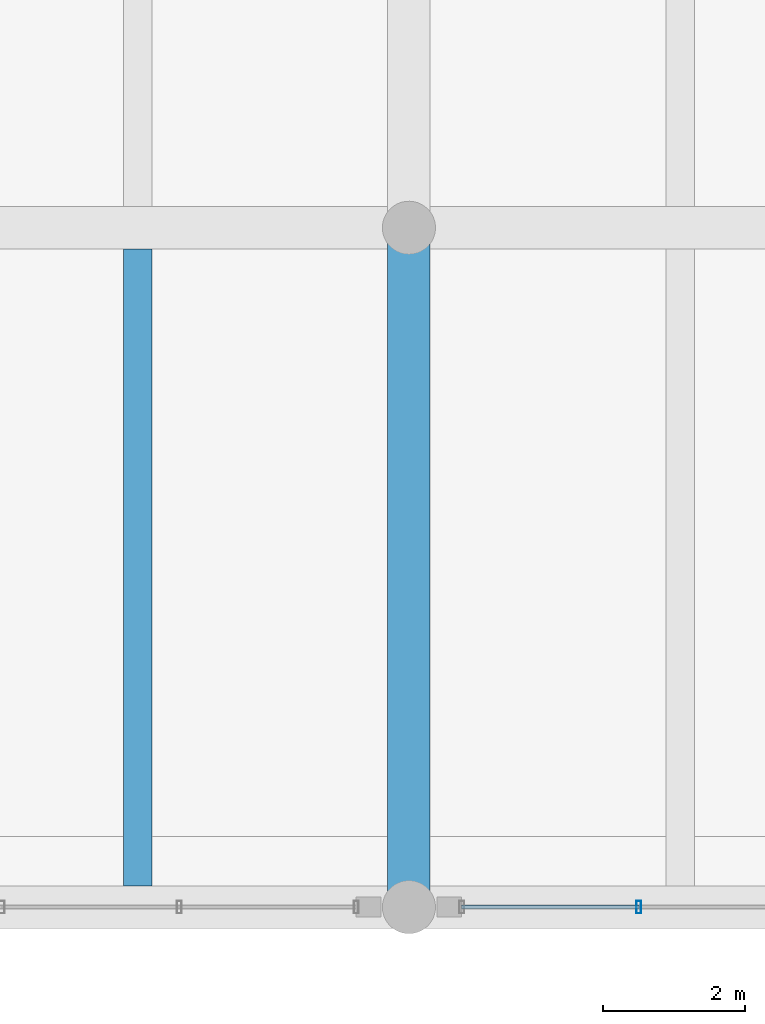
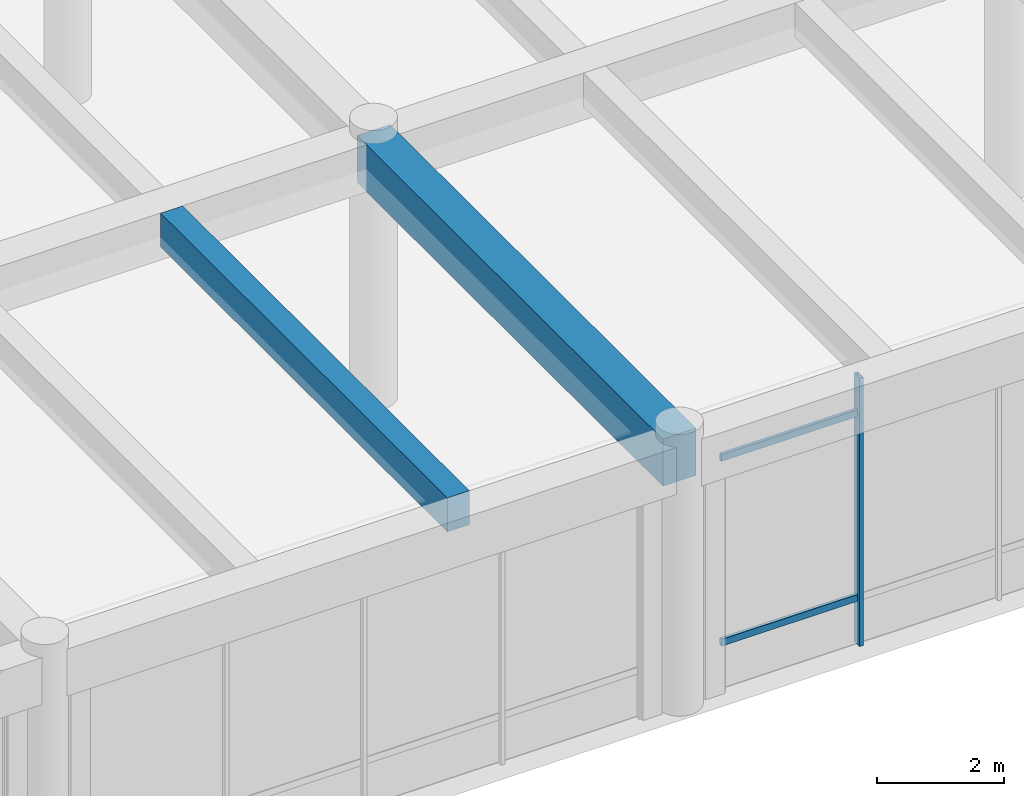
# One storey, part 29 of 148: 3 members, 2 beams, 1 element without a shape of its own.
"""IFC4 building model written with IfcOpenShell, lengths in metres."""

from ifc_helpers import new_model, si_unit, direction, frame, origin, origin_2d, place, context, subcontext, project, spatial, rectangle, hollow_rectangle, extrude, material, material_profile, profile_set, type_object, element, aggregate, save


model = new_model("IFC4")

# Units and contexts
model_context = context("Model", 3, precision=1e-05, world=origin(), true_north=direction((0.0, 1.0)))
body_context = subcontext(model_context, "Body", "Model", "MODEL_VIEW")
ifc_project = project(units=[si_unit("LENGTHUNIT", "METRE"), si_unit("AREAUNIT", "SQUARE_METRE"), si_unit("VOLUMEUNIT", "CUBIC_METRE"), si_unit("PLANEANGLEUNIT", "RADIAN"), si_unit("MASSUNIT", "GRAM", prefix="KILO")], contexts=[model_context])

# Site, building, storey
site_placement = place(None, origin())
site = spatial("IfcSite", under=ifc_project, at=site_placement, CompositionType="ELEMENT")
building_placement = place(site_placement, origin())
building = spatial("IfcBuilding", under=site, at=building_placement, Name="Ologun Quay Terminus", CompositionType="ELEMENT")
storey_placement = place(building_placement, frame((0.0, 0.0, 8.39990234375)))
storey = spatial("IfcBuildingStorey", under=building, at=storey_placement, Name="L02", CompositionType="ELEMENT", Elevation=8.39990234375)

# Curtain wall, members
ifc_material_1 = material(Name="Aluminium 6063-T6", Category="aluminium")
curtain_wall_type = type_object("IfcCurtainWallType", Name="Concourse Departure Curtain Wall 10700x4950", PredefinedType="USERDEFINED", material=ifc_material_1)
curtain_wall_placement = place(storey_placement, origin())
curtain_wall = element("IfcCurtainWall", 1, at=curtain_wall_placement, inside=storey, type_object=curtain_wall_type, Name="CW-05 Curtain Wall CW-L02-027", ObjectType="UNITISED CURTAIN WALL", PredefinedType="USERDEFINED")
ifc_material_2 = material(Name="Aluminium 6063-T6", Category="aluminium")
ifc_material_profile_1 = material_profile(ifc_material_2, hollow_rectangle(XDim=0.070068359375, YDim=0.179931640625, WallThickness=0.0048828125, at=origin_2d()), Name="ALU 180x70x5")
ifc_profile_set_1 = profile_set([ifc_material_profile_1], Name="Aluminium 6063-T6")
member_type_1 = type_object("IfcMemberType", Name="Curtain Wall Heavy Mullion 180x70", PredefinedType="MULLION", material=ifc_profile_set_1)
member_1_placement = place(storey_placement, frame((95.24755859375, 8.0, 0.0), z_axis=(0.0, 0.0, 1.0), x_axis=(1.0, 0.0, 0.0)))
member_1 = element("IfcMember", 2, at=member_1_placement, type_object=member_type_1, Name="CW-L02-027 Mullion 2", PredefinedType="MULLION", context=body_context, shape_type="SweptSolid", body=[
    extrude(hollow_rectangle(XDim=0.070068359375, YDim=0.179931640625, WallThickness=0.0048828125, at=origin_2d()), origin(), (0.0, 0.0, 1.0), 5.14013671875),
])
ifc_material_3 = material(Name="Aluminium 6063-T6", Category="aluminium")
ifc_material_profile_2 = material_profile(ifc_material_3, hollow_rectangle(XDim=0.06005859375, YDim=0.1298828125, WallThickness=0.00390625, at=origin_2d()), Name="ALU 130x60x4")
ifc_profile_set_2 = profile_set([ifc_material_profile_2], Name="Aluminium 6063-T6")
member_type_2 = type_object("IfcMemberType", Name="Curtain Wall Heavy Transom 130x60", PredefinedType="USERDEFINED", material=ifc_profile_set_2)
member_2_placement = place(storey_placement, frame((92.7451171875, 8.0, 0.900146484375), z_axis=(1.0, 0.0, 0.0), x_axis=(0.0, 1.0, 0.0)))
member_2 = element("IfcMember", 3, at=member_2_placement, type_object=member_type_2, Name="CW-L02-027 Transom B1-1", ObjectType="TRANSOM", PredefinedType="USERDEFINED", context=body_context, shape_type="SweptSolid", body=[
    extrude(hollow_rectangle(XDim=0.06005859375, YDim=0.1298828125, WallThickness=0.00390625, at=origin_2d()), origin(), (0.0, 0.0, 1.0), 2.50244140625),
])
member_3_placement = place(storey_placement, frame((92.7451171875, 8.0, 4.440185546875), z_axis=(1.0, 0.0, 0.0), x_axis=(0.0, 1.0, 0.0)))
member_3 = element("IfcMember", 4, at=member_3_placement, type_object=member_type_2, Name="CW-L02-027 Transom B1-2", ObjectType="TRANSOM", PredefinedType="USERDEFINED", context=body_context, shape_type="SweptSolid", body=[
    extrude(hollow_rectangle(XDim=0.06005859375, YDim=0.1298828125, WallThickness=0.00390625, at=origin_2d()), origin(), (0.0, 0.0, 1.0), 2.50244140625),
])
aggregate(curtain_wall, [member_1, member_2, member_3])

# Beams
ifc_material_4 = material(Name="Concrete C40/50", Category="concrete")
ifc_material_profile_3 = material_profile(ifc_material_4, rectangle(XDim=0.60009765625, YDim=0.89990234375, at=origin_2d()), Name="RC 600x900")
ifc_profile_set_3 = profile_set([ifc_material_profile_3], Name="Concrete C40/50")
beam_type_1 = type_object("IfcBeamType", Name="Station Frame Girder 600x900", PredefinedType="BEAM", material=ifc_profile_set_3)
beam_1_placement = place(storey_placement, frame((92.0, 8.0, 4.7001953125), z_axis=(0.0, 1.0, 0.0), x_axis=(-1.0, 0.0, 0.0)))
element("IfcBeam", 5, at=beam_1_placement, inside=storey, type_object=beam_type_1, Name="B3 Beam 9/B L02", PredefinedType="BEAM", context=body_context, shape_type="SweptSolid", body=[
    extrude(rectangle(XDim=0.60009765625, YDim=0.89990234375, at=origin_2d()), origin(), (0.0, 0.0, 1.0), 9.60009765625),
])
ifc_material_5 = material(Name="Concrete C40/50", Category="concrete")
ifc_material_profile_4 = material_profile(ifc_material_5, rectangle(XDim=0.39990234375, YDim=0.64990234375, at=origin_2d()), Name="RC 400x650")
ifc_profile_set_4 = profile_set([ifc_material_profile_4], Name="Concrete C40/50")
beam_type_2 = type_object("IfcBeamType", Name="Station Secondary Joist 400x650", PredefinedType="JOIST", material=ifc_profile_set_4)
beam_2_placement = place(storey_placement, frame((88.166748046875, 8.300048828125, 4.8251953125), z_axis=(0.0, 1.0, 0.0), x_axis=(-1.0, 0.0, 0.0)))
element("IfcBeam", 6, at=beam_2_placement, inside=storey, type_object=beam_type_2, Name="J1 Beam 8/B L02", PredefinedType="JOIST", context=body_context, shape_type="SweptSolid", body=[
    extrude(rectangle(XDim=0.39990234375, YDim=0.64990234375, at=origin_2d()), origin(), (0.0, 0.0, 1.0), 9.0),
])

save(model, "model.ifc")
